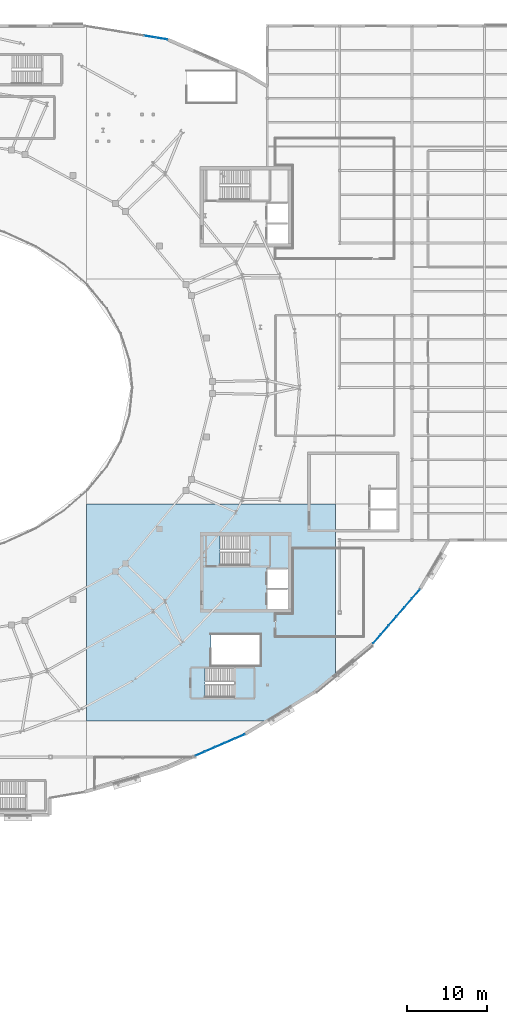
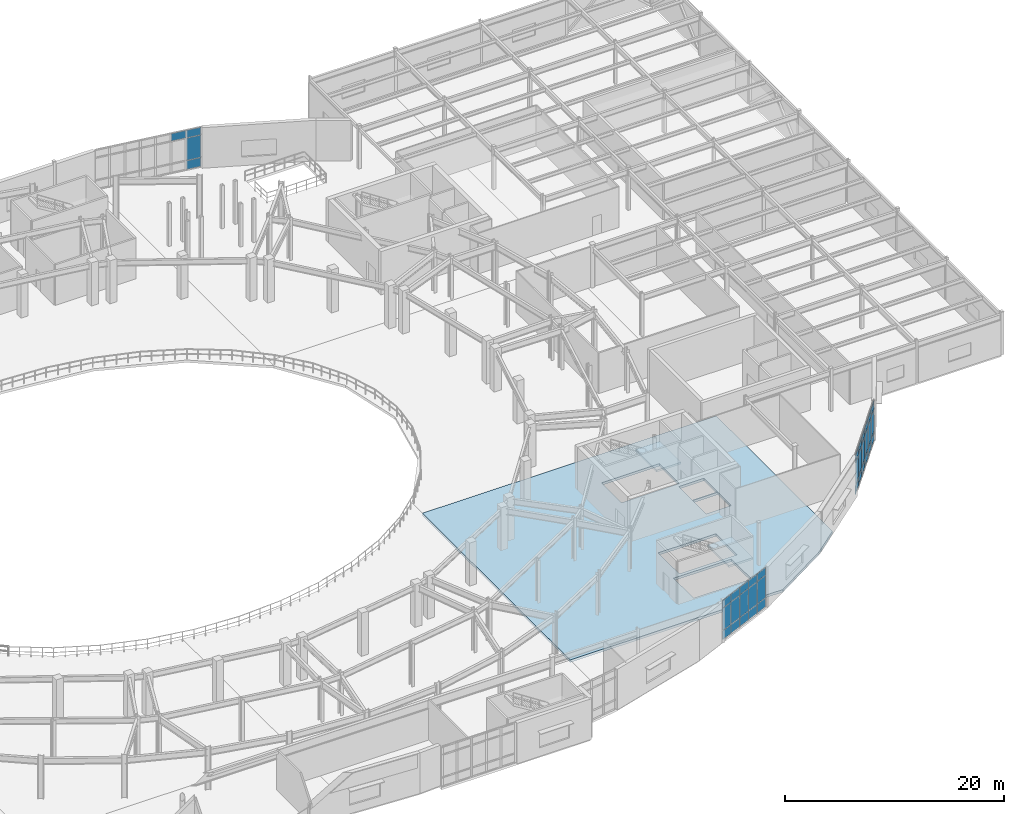
# One storey, part 57 of 86: 37 plates, 3 slabs, 5 elements without a shape of their own.
"""IFC4 building model written with IfcOpenShell, lengths in metres."""

from ifc_helpers import new_model, si_unit, direction, frame, origin, origin_2d, place, context, subcontext, project, spatial, polyline, rectangle, outline, extrude, material, layer, layer_set, type_object, element, aggregate, save


model = new_model("IFC4")

# Units and contexts
model_context = context("Model", 3, precision=1e-05, world=origin(), true_north=direction((0.0, 1.0)))
body_context = subcontext(model_context, "Body", "Model", "MODEL_VIEW")
ifc_project = project(units=[si_unit("LENGTHUNIT", "METRE"), si_unit("AREAUNIT", "SQUARE_METRE"), si_unit("VOLUMEUNIT", "CUBIC_METRE"), si_unit("PLANEANGLEUNIT", "RADIAN"), si_unit("MASSUNIT", "GRAM", prefix="KILO")], contexts=[model_context])

# Site, building, storey
site_placement = place(None, origin())
site = spatial("IfcSite", under=ifc_project, at=site_placement, CompositionType="ELEMENT")
building_placement = place(site_placement, origin())
building = spatial("IfcBuilding", under=site, at=building_placement, Name="Glasvene Arena", CompositionType="ELEMENT")
storey_placement = place(building_placement, frame((0.0, 0.0, 5.39990234375)))
storey = spatial("IfcBuildingStorey", under=building, at=storey_placement, Name="L01", CompositionType="ELEMENT", Elevation=5.39990234375)

# Curtain wall, plates
ifc_material_1 = material(Name="Low-emissivity laminated double glazing", Category="glass")
curtain_wall_type_1 = type_object("IfcCurtainWallType", Name="CW-FAC-L01-1047x446", PredefinedType="USERDEFINED", material=ifc_material_1)
curtain_wall_1_placement = place(storey_placement, frame((115.242431640625, 117.99365234375, 0.0)))
curtain_wall_1 = element("IfcCurtainWall", 1, at=curtain_wall_1_placement, inside=storey, type_object=curtain_wall_type_1, Name="Unitised curtain wall CW-F-L01-180-1204-1172-16", ObjectType="CURTAIN WALL", PredefinedType="USERDEFINED")
ifc_layer_1 = layer(ifc_material_1, 0.028076171875)
ifc_layer_set_1 = layer_set([ifc_layer_1], Name="Low-emissivity laminated double glazing")
plate_type = type_object("IfcPlateType", Name="CW-GLZ-28", PredefinedType="CURTAIN_PANEL", material=ifc_layer_set_1)
plate_1_placement = place(storey_placement, frame((123.364501953125, 116.674072265625, 3.64501953125), z_axis=(0.0, 0.0, 1.0), x_axis=(0.987057439407, -0.160367114184, 0.0)))
plate_1 = element("IfcPlate", 2, at=plate_1_placement, type_object=plate_type, Name="CW-008 panel 6.3", PredefinedType="CURTAIN_PANEL", context=body_context, shape_type="SweptSolid", body=[
    extrude(rectangle(XDim=1.446044921875, YDim=0.028076171875, at=origin_2d()), origin(), (0.0, 0.0, 1.0), 0.824951171875),
])
plate_2_placement = place(storey_placement, frame((124.8291015625, 116.43603515625, 0.10986328125), z_axis=(0.0, 0.0, 1.0), x_axis=(0.987057439407, -0.160367114184, 0.0)))
plate_2 = element("IfcPlate", 3, at=plate_2_placement, type_object=plate_type, Name="CW-008 panel 7.1", PredefinedType="CURTAIN_PANEL", context=body_context, shape_type="SweptSolid", body=[
    extrude(rectangle(XDim=1.421142578125, YDim=0.028076171875, at=origin_2d()), origin(), (0.0, 0.0, 1.0), 0.965087890625),
])
plate_3_placement = place(storey_placement, frame((124.8291015625, 116.43603515625, 1.125), z_axis=(0.0, 0.0, 1.0), x_axis=(0.987057439407, -0.160367114184, 0.0)))
plate_3 = element("IfcPlate", 4, at=plate_3_placement, type_object=plate_type, Name="CW-008 panel 7.2", PredefinedType="CURTAIN_PANEL", context=body_context, shape_type="SweptSolid", body=[
    extrude(rectangle(XDim=1.421142578125, YDim=0.028076171875, at=origin_2d()), origin(), (0.0, 0.0, 1.0), 2.469970703125),
])
plate_4_placement = place(storey_placement, frame((124.8291015625, 116.43603515625, 3.64501953125), z_axis=(0.0, 0.0, 1.0), x_axis=(0.987057439407, -0.160367114184, 0.0)))
plate_4 = element("IfcPlate", 5, at=plate_4_placement, type_object=plate_type, Name="CW-008 panel 7.3", PredefinedType="CURTAIN_PANEL", context=body_context, shape_type="SweptSolid", body=[
    extrude(rectangle(XDim=1.421142578125, YDim=0.028076171875, at=origin_2d()), origin(), (0.0, 0.0, 1.0), 0.824951171875),
])
aggregate(curtain_wall_1, [plate_1, plate_2, plate_3, plate_4])

curtain_wall_type_2 = type_object("IfcCurtainWallType", Name="CW-FAC-L01-892x446", PredefinedType="USERDEFINED", material=ifc_material_1)
curtain_wall_2_placement = place(storey_placement, frame((156.99267578125, 47.884521484375, 0.0)))
curtain_wall_2 = element("IfcCurtainWall", 6, at=curtain_wall_2_placement, inside=storey, type_object=curtain_wall_type_2, Name="Unitised curtain wall CW-F-L01-180-1541-445-34", ObjectType="CURTAIN WALL", PredefinedType="USERDEFINED")
plate_5_placement = place(storey_placement, frame((156.497802734375, 47.31298828125, 0.10986328125), z_axis=(0.0, 0.0, 1.0), x_axis=(-0.65457705189, -0.755995293066, 0.0)))
plate_5 = element("IfcPlate", 7, at=plate_5_placement, type_object=plate_type, Name="CW-010 panel 1.1", PredefinedType="CURTAIN_PANEL", context=body_context, shape_type="SweptSolid", body=[
    extrude(rectangle(XDim=1.41162109375, YDim=0.028076171875, at=origin_2d()), origin(), (0.0, 0.0, 1.0), 0.965087890625),
])
plate_6_placement = place(storey_placement, frame((156.497802734375, 47.31298828125, 1.125), z_axis=(0.0, 0.0, 1.0), x_axis=(-0.65457705189, -0.755995293066, 0.0)))
plate_6 = element("IfcPlate", 8, at=plate_6_placement, type_object=plate_type, Name="CW-010 panel 1.2", PredefinedType="CURTAIN_PANEL", context=body_context, shape_type="SweptSolid", body=[
    extrude(rectangle(XDim=1.41162109375, YDim=0.028076171875, at=origin_2d()), origin(), (0.0, 0.0, 1.0), 2.469970703125),
])
plate_7_placement = place(storey_placement, frame((156.497802734375, 47.31298828125, 3.64501953125), z_axis=(0.0, 0.0, 1.0), x_axis=(-0.65457705189, -0.755995293066, 0.0)))
plate_7 = element("IfcPlate", 9, at=plate_7_placement, type_object=plate_type, Name="CW-010 panel 1.3", PredefinedType="CURTAIN_PANEL", context=body_context, shape_type="SweptSolid", body=[
    extrude(rectangle(XDim=1.41162109375, YDim=0.028076171875, at=origin_2d()), origin(), (0.0, 0.0, 1.0), 0.824951171875),
])
plate_8_placement = place(storey_placement, frame((155.532958984375, 46.19873046875, 0.10986328125), z_axis=(0.0, 0.0, 1.0), x_axis=(-0.65457705189, -0.755995293066, 0.0)))
plate_8 = element("IfcPlate", 10, at=plate_8_placement, type_object=plate_type, Name="CW-010 panel 2.1", PredefinedType="CURTAIN_PANEL", context=body_context, shape_type="SweptSolid", body=[
    extrude(rectangle(XDim=1.4365234375, YDim=0.028076171875, at=origin_2d()), origin(), (0.0, 0.0, 1.0), 0.965087890625),
])
plate_9_placement = place(storey_placement, frame((155.532958984375, 46.19873046875, 1.125), z_axis=(0.0, 0.0, 1.0), x_axis=(-0.65457705189, -0.755995293066, 0.0)))
plate_9 = element("IfcPlate", 11, at=plate_9_placement, type_object=plate_type, Name="CW-010 panel 2.2", PredefinedType="CURTAIN_PANEL", context=body_context, shape_type="SweptSolid", body=[
    extrude(rectangle(XDim=1.4365234375, YDim=0.028076171875, at=origin_2d()), origin(), (0.0, 0.0, 1.0), 2.469970703125),
])
plate_10_placement = place(storey_placement, frame((155.532958984375, 46.19873046875, 3.64501953125), z_axis=(0.0, 0.0, 1.0), x_axis=(-0.65457705189, -0.755995293066, 0.0)))
plate_10 = element("IfcPlate", 12, at=plate_10_placement, type_object=plate_type, Name="CW-010 panel 2.3", PredefinedType="CURTAIN_PANEL", context=body_context, shape_type="SweptSolid", body=[
    extrude(rectangle(XDim=1.4365234375, YDim=0.028076171875, at=origin_2d()), origin(), (0.0, 0.0, 1.0), 0.824951171875),
])
plate_11_placement = place(storey_placement, frame((154.559814453125, 45.07470703125, 0.10986328125), z_axis=(0.0, 0.0, 1.0), x_axis=(-0.65457705189, -0.755995293066, 0.0)))
plate_11 = element("IfcPlate", 13, at=plate_11_placement, type_object=plate_type, Name="CW-010 panel 3.1", PredefinedType="CURTAIN_PANEL", context=body_context, shape_type="SweptSolid", body=[
    extrude(rectangle(XDim=1.4365234375, YDim=0.028076171875, at=origin_2d()), origin(), (0.0, 0.0, 1.0), 0.965087890625),
])
plate_12_placement = place(storey_placement, frame((154.559814453125, 45.07470703125, 1.125), z_axis=(0.0, 0.0, 1.0), x_axis=(-0.65457705189, -0.755995293066, 0.0)))
plate_12 = element("IfcPlate", 14, at=plate_12_placement, type_object=plate_type, Name="CW-010 panel 3.2", PredefinedType="CURTAIN_PANEL", context=body_context, shape_type="SweptSolid", body=[
    extrude(rectangle(XDim=1.4365234375, YDim=0.028076171875, at=origin_2d()), origin(), (0.0, 0.0, 1.0), 2.469970703125),
])
plate_13_placement = place(storey_placement, frame((154.559814453125, 45.07470703125, 3.64501953125), z_axis=(0.0, 0.0, 1.0), x_axis=(-0.65457705189, -0.755995293066, 0.0)))
plate_13 = element("IfcPlate", 15, at=plate_13_placement, type_object=plate_type, Name="CW-010 panel 3.3", PredefinedType="CURTAIN_PANEL", context=body_context, shape_type="SweptSolid", body=[
    extrude(rectangle(XDim=1.4365234375, YDim=0.028076171875, at=origin_2d()), origin(), (0.0, 0.0, 1.0), 0.824951171875),
])
plate_14_placement = place(storey_placement, frame((153.5869140625, 43.950927734375, 0.10986328125), z_axis=(0.0, 0.0, 1.0), x_axis=(-0.65457705189, -0.755995293066, 0.0)))
plate_14 = element("IfcPlate", 16, at=plate_14_placement, type_object=plate_type, Name="CW-010 panel 4.1", PredefinedType="CURTAIN_PANEL", context=body_context, shape_type="SweptSolid", body=[
    extrude(rectangle(XDim=1.4365234375, YDim=0.028076171875, at=origin_2d()), origin(), (0.0, 0.0, 1.0), 0.965087890625),
])
plate_15_placement = place(storey_placement, frame((153.5869140625, 43.950927734375, 1.125), z_axis=(0.0, 0.0, 1.0), x_axis=(-0.65457705189, -0.755995293066, 0.0)))
plate_15 = element("IfcPlate", 17, at=plate_15_placement, type_object=plate_type, Name="CW-010 panel 4.2", PredefinedType="CURTAIN_PANEL", context=body_context, shape_type="SweptSolid", body=[
    extrude(rectangle(XDim=1.4365234375, YDim=0.028076171875, at=origin_2d()), origin(), (0.0, 0.0, 1.0), 2.469970703125),
])
plate_16_placement = place(storey_placement, frame((153.5869140625, 43.950927734375, 3.64501953125), z_axis=(0.0, 0.0, 1.0), x_axis=(-0.65457705189, -0.755995293066, 0.0)))
plate_16 = element("IfcPlate", 18, at=plate_16_placement, type_object=plate_type, Name="CW-010 panel 4.3", PredefinedType="CURTAIN_PANEL", context=body_context, shape_type="SweptSolid", body=[
    extrude(rectangle(XDim=1.4365234375, YDim=0.028076171875, at=origin_2d()), origin(), (0.0, 0.0, 1.0), 0.824951171875),
])
plate_17_placement = place(storey_placement, frame((152.61376953125, 42.8271484375, 0.10986328125), z_axis=(0.0, 0.0, 1.0), x_axis=(-0.65457705189, -0.755995293066, 0.0)))
plate_17 = element("IfcPlate", 19, at=plate_17_placement, type_object=plate_type, Name="CW-010 panel 5.1", PredefinedType="CURTAIN_PANEL", context=body_context, shape_type="SweptSolid", body=[
    extrude(rectangle(XDim=1.4365234375, YDim=0.028076171875, at=origin_2d()), origin(), (0.0, 0.0, 1.0), 0.965087890625),
])
plate_18_placement = place(storey_placement, frame((152.61376953125, 42.8271484375, 1.125), z_axis=(0.0, 0.0, 1.0), x_axis=(-0.65457705189, -0.755995293066, 0.0)))
plate_18 = element("IfcPlate", 20, at=plate_18_placement, type_object=plate_type, Name="CW-010 panel 5.2", PredefinedType="CURTAIN_PANEL", context=body_context, shape_type="SweptSolid", body=[
    extrude(rectangle(XDim=1.4365234375, YDim=0.028076171875, at=origin_2d()), origin(), (0.0, 0.0, 1.0), 2.469970703125),
])
plate_19_placement = place(storey_placement, frame((152.61376953125, 42.8271484375, 3.64501953125), z_axis=(0.0, 0.0, 1.0), x_axis=(-0.65457705189, -0.755995293066, 0.0)))
plate_19 = element("IfcPlate", 21, at=plate_19_placement, type_object=plate_type, Name="CW-010 panel 5.3", PredefinedType="CURTAIN_PANEL", context=body_context, shape_type="SweptSolid", body=[
    extrude(rectangle(XDim=1.4365234375, YDim=0.028076171875, at=origin_2d()), origin(), (0.0, 0.0, 1.0), 0.824951171875),
])
plate_20_placement = place(storey_placement, frame((151.64892578125, 41.712646484375, 0.10986328125), z_axis=(0.0, 0.0, 1.0), x_axis=(-0.65457705189, -0.755995293066, 0.0)))
plate_20 = element("IfcPlate", 22, at=plate_20_placement, type_object=plate_type, Name="CW-010 panel 6.1", PredefinedType="CURTAIN_PANEL", context=body_context, shape_type="SweptSolid", body=[
    extrude(rectangle(XDim=1.41162109375, YDim=0.028076171875, at=origin_2d()), origin(), (0.0, 0.0, 1.0), 0.965087890625),
])
plate_21_placement = place(storey_placement, frame((151.64892578125, 41.712646484375, 1.125), z_axis=(0.0, 0.0, 1.0), x_axis=(-0.65457705189, -0.755995293066, 0.0)))
plate_21 = element("IfcPlate", 23, at=plate_21_placement, type_object=plate_type, Name="CW-010 panel 6.2", PredefinedType="CURTAIN_PANEL", context=body_context, shape_type="SweptSolid", body=[
    extrude(rectangle(XDim=1.41162109375, YDim=0.028076171875, at=origin_2d()), origin(), (0.0, 0.0, 1.0), 2.469970703125),
])
plate_22_placement = place(storey_placement, frame((151.64892578125, 41.712646484375, 3.64501953125), z_axis=(0.0, 0.0, 1.0), x_axis=(-0.65457705189, -0.755995293066, 0.0)))
plate_22 = element("IfcPlate", 24, at=plate_22_placement, type_object=plate_type, Name="CW-010 panel 6.3", PredefinedType="CURTAIN_PANEL", context=body_context, shape_type="SweptSolid", body=[
    extrude(rectangle(XDim=1.41162109375, YDim=0.028076171875, at=origin_2d()), origin(), (0.0, 0.0, 1.0), 0.824951171875),
])
aggregate(curtain_wall_2, [plate_5, plate_6, plate_7, plate_8, plate_9, plate_10, plate_11, plate_12, plate_13, plate_14, plate_15, plate_16, plate_17, plate_18, plate_19, plate_20, plate_21, plate_22])

curtain_wall_type_3 = type_object("IfcCurtainWallType", Name="CW-FAC-L01-673x446", PredefinedType="USERDEFINED", material=ifc_material_1)
curtain_wall_3_placement = place(storey_placement, frame((135.19580078125, 29.845703125, 0.0)))
curtain_wall_3 = element("IfcCurtainWall", 25, at=curtain_wall_3_placement, inside=storey, type_object=curtain_wall_type_3, Name="Unitised curtain wall CW-F-L01-180-1321-285-37", ObjectType="CURTAIN WALL", PredefinedType="USERDEFINED")
plate_23_placement = place(storey_placement, frame((134.56689453125, 29.57275390625, 0.10986328125), z_axis=(0.0, 0.0, 1.0), x_axis=(-0.917433245637, -0.397889733218, 0.0)))
plate_23 = element("IfcPlate", 26, at=plate_23_placement, type_object=plate_type, Name="CW-011 panel 1.1", PredefinedType="CURTAIN_PANEL", context=body_context, shape_type="SweptSolid", body=[
    extrude(rectangle(XDim=1.27099609375, YDim=0.028076171875, at=origin_2d()), origin(), (0.0, 0.0, 1.0), 0.965087890625),
])
plate_24_placement = place(storey_placement, frame((134.56689453125, 29.57275390625, 1.125), z_axis=(0.0, 0.0, 1.0), x_axis=(-0.917433245637, -0.397889733218, 0.0)))
plate_24 = element("IfcPlate", 27, at=plate_24_placement, type_object=plate_type, Name="CW-011 panel 1.2", PredefinedType="CURTAIN_PANEL", context=body_context, shape_type="SweptSolid", body=[
    extrude(rectangle(XDim=1.27099609375, YDim=0.028076171875, at=origin_2d()), origin(), (0.0, 0.0, 1.0), 2.469970703125),
])
plate_25_placement = place(storey_placement, frame((134.56689453125, 29.57275390625, 3.64501953125), z_axis=(0.0, 0.0, 1.0), x_axis=(-0.917433245637, -0.397889733218, 0.0)))
plate_25 = element("IfcPlate", 28, at=plate_25_placement, type_object=plate_type, Name="CW-011 panel 1.3", PredefinedType="CURTAIN_PANEL", context=body_context, shape_type="SweptSolid", body=[
    extrude(rectangle(XDim=1.27099609375, YDim=0.028076171875, at=origin_2d()), origin(), (0.0, 0.0, 1.0), 0.824951171875),
])
plate_26_placement = place(storey_placement, frame((133.343505859375, 29.042236328125, 0.10986328125), z_axis=(0.0, 0.0, 1.0), x_axis=(-0.917433245637, -0.397889733218, 0.0)))
plate_26 = element("IfcPlate", 29, at=plate_26_placement, type_object=plate_type, Name="CW-011 panel 2.1", PredefinedType="CURTAIN_PANEL", context=body_context, shape_type="SweptSolid", body=[
    extrude(rectangle(XDim=1.2958984375, YDim=0.028076171875, at=origin_2d()), origin(), (0.0, 0.0, 1.0), 0.965087890625),
])
plate_27_placement = place(storey_placement, frame((133.343505859375, 29.042236328125, 1.125), z_axis=(0.0, 0.0, 1.0), x_axis=(-0.917433245637, -0.397889733218, 0.0)))
plate_27 = element("IfcPlate", 30, at=plate_27_placement, type_object=plate_type, Name="CW-011 panel 2.2", PredefinedType="CURTAIN_PANEL", context=body_context, shape_type="SweptSolid", body=[
    extrude(rectangle(XDim=1.2958984375, YDim=0.028076171875, at=origin_2d()), origin(), (0.0, 0.0, 1.0), 2.469970703125),
])
plate_28_placement = place(storey_placement, frame((133.343505859375, 29.042236328125, 3.64501953125), z_axis=(0.0, 0.0, 1.0), x_axis=(-0.917433245637, -0.397889733218, 0.0)))
plate_28 = element("IfcPlate", 31, at=plate_28_placement, type_object=plate_type, Name="CW-011 panel 2.3", PredefinedType="CURTAIN_PANEL", context=body_context, shape_type="SweptSolid", body=[
    extrude(rectangle(XDim=1.2958984375, YDim=0.028076171875, at=origin_2d()), origin(), (0.0, 0.0, 1.0), 0.824951171875),
])
plate_29_placement = place(storey_placement, frame((132.108642578125, 28.5068359375, 0.10986328125), z_axis=(0.0, 0.0, 1.0), x_axis=(-0.917433245637, -0.397889733218, 0.0)))
plate_29 = element("IfcPlate", 32, at=plate_29_placement, type_object=plate_type, Name="CW-011 panel 3.1", PredefinedType="CURTAIN_PANEL", context=body_context, shape_type="SweptSolid", body=[
    extrude(rectangle(XDim=1.2958984375, YDim=0.028076171875, at=origin_2d()), origin(), (0.0, 0.0, 1.0), 0.965087890625),
])
plate_30_placement = place(storey_placement, frame((132.108642578125, 28.5068359375, 1.125), z_axis=(0.0, 0.0, 1.0), x_axis=(-0.917433245637, -0.397889733218, 0.0)))
plate_30 = element("IfcPlate", 33, at=plate_30_placement, type_object=plate_type, Name="CW-011 panel 3.2", PredefinedType="CURTAIN_PANEL", context=body_context, shape_type="SweptSolid", body=[
    extrude(rectangle(XDim=1.2958984375, YDim=0.028076171875, at=origin_2d()), origin(), (0.0, 0.0, 1.0), 2.469970703125),
])
plate_31_placement = place(storey_placement, frame((132.108642578125, 28.5068359375, 3.64501953125), z_axis=(0.0, 0.0, 1.0), x_axis=(-0.917433245637, -0.397889733218, 0.0)))
plate_31 = element("IfcPlate", 34, at=plate_31_placement, type_object=plate_type, Name="CW-011 panel 3.3", PredefinedType="CURTAIN_PANEL", context=body_context, shape_type="SweptSolid", body=[
    extrude(rectangle(XDim=1.2958984375, YDim=0.028076171875, at=origin_2d()), origin(), (0.0, 0.0, 1.0), 0.824951171875),
])
plate_32_placement = place(storey_placement, frame((130.873779296875, 27.97119140625, 0.10986328125), z_axis=(0.0, 0.0, 1.0), x_axis=(-0.917433245637, -0.397889733218, 0.0)))
plate_32 = element("IfcPlate", 35, at=plate_32_placement, type_object=plate_type, Name="CW-011 panel 4.1", PredefinedType="CURTAIN_PANEL", context=body_context, shape_type="SweptSolid", body=[
    extrude(rectangle(XDim=1.2958984375, YDim=0.028076171875, at=origin_2d()), origin(), (0.0, 0.0, 1.0), 0.965087890625),
])
plate_33_placement = place(storey_placement, frame((130.873779296875, 27.97119140625, 1.125), z_axis=(0.0, 0.0, 1.0), x_axis=(-0.917433245637, -0.397889733218, 0.0)))
plate_33 = element("IfcPlate", 36, at=plate_33_placement, type_object=plate_type, Name="CW-011 panel 4.2", PredefinedType="CURTAIN_PANEL", context=body_context, shape_type="SweptSolid", body=[
    extrude(rectangle(XDim=1.2958984375, YDim=0.028076171875, at=origin_2d()), origin(), (0.0, 0.0, 1.0), 2.469970703125),
])
plate_34_placement = place(storey_placement, frame((130.873779296875, 27.97119140625, 3.64501953125), z_axis=(0.0, 0.0, 1.0), x_axis=(-0.917433245637, -0.397889733218, 0.0)))
plate_34 = element("IfcPlate", 37, at=plate_34_placement, type_object=plate_type, Name="CW-011 panel 4.3", PredefinedType="CURTAIN_PANEL", context=body_context, shape_type="SweptSolid", body=[
    extrude(rectangle(XDim=1.2958984375, YDim=0.028076171875, at=origin_2d()), origin(), (0.0, 0.0, 1.0), 0.824951171875),
])
plate_35_placement = place(storey_placement, frame((129.650390625, 27.440673828125, 0.10986328125), z_axis=(0.0, 0.0, 1.0), x_axis=(-0.917433245637, -0.397889733218, 0.0)))
plate_35 = element("IfcPlate", 38, at=plate_35_placement, type_object=plate_type, Name="CW-011 panel 5.1", PredefinedType="CURTAIN_PANEL", context=body_context, shape_type="SweptSolid", body=[
    extrude(rectangle(XDim=1.27099609375, YDim=0.028076171875, at=origin_2d()), origin(), (0.0, 0.0, 1.0), 0.965087890625),
])
plate_36_placement = place(storey_placement, frame((129.650390625, 27.440673828125, 1.125), z_axis=(0.0, 0.0, 1.0), x_axis=(-0.917433245637, -0.397889733218, 0.0)))
plate_36 = element("IfcPlate", 39, at=plate_36_placement, type_object=plate_type, Name="CW-011 panel 5.2", PredefinedType="CURTAIN_PANEL", context=body_context, shape_type="SweptSolid", body=[
    extrude(rectangle(XDim=1.27099609375, YDim=0.028076171875, at=origin_2d()), origin(), (0.0, 0.0, 1.0), 2.469970703125),
])
plate_37_placement = place(storey_placement, frame((129.650390625, 27.440673828125, 3.64501953125), z_axis=(0.0, 0.0, 1.0), x_axis=(-0.917433245637, -0.397889733218, 0.0)))
plate_37 = element("IfcPlate", 40, at=plate_37_placement, type_object=plate_type, Name="CW-011 panel 5.3", PredefinedType="CURTAIN_PANEL", context=body_context, shape_type="SweptSolid", body=[
    extrude(rectangle(XDim=1.27099609375, YDim=0.028076171875, at=origin_2d()), origin(), (0.0, 0.0, 1.0), 0.824951171875),
])
aggregate(curtain_wall_3, [plate_23, plate_24, plate_25, plate_26, plate_27, plate_28, plate_29, plate_30, plate_31, plate_32, plate_33, plate_34, plate_35, plate_36, plate_37])

# Slab
ifc_material_2 = material(Name="Concrete C40/50", Category="concrete")
ifc_layer_2 = layer(ifc_material_2, 0.280029296875)
ifc_layer_set_2 = layer_set([ifc_layer_2], Name="Concrete C40/50")
slab_type_1 = type_object("IfcSlabType", Name="SL-CONC-280", PredefinedType="FLOOR", material=ifc_layer_set_2)
slab_1_placement = place(storey_placement, frame((134.29150390625, 42.05322265625, -0.27978515625)))
element("IfcSlab", 41, at=slab_1_placement, inside=storey, type_object=slab_type_1, Name="Structural floor slab L01 sector 2-5 (48)", PredefinedType="FLOOR", context=body_context, shape_type="SweptSolid", body=[
    extrude(outline(polyline([(3.651611328125, -10.55322265625), (-18.79150390625, -10.55322265625), (-18.79150390625, 16.44677734375), (12.20849609375, 16.44677734375), (12.20849609375, -4.77685546875), (9.51416015625, -7.009521484375), (3.651611328125, -10.55322265625)]), holes=[polyline([(2.008544921875, -7.6533203125), (2.008544921875, -4.003173828125), (-4.089599609375, -4.003173828125), (-4.089599609375, -7.6533203125), (2.008544921875, -7.6533203125)]), polyline([(2.80859375, -3.6533203125), (2.80859375, 0.19677734375), (-3.28955078125, 0.19677734375), (-3.28955078125, -3.6533203125), (2.80859375, -3.6533203125)]), polyline([(6.258544921875, 3.396728515625), (6.258544921875, 5.8466796875), (3.6083984375, 5.8466796875), (3.6083984375, 3.396728515625), (6.258544921875, 3.396728515625)]), polyline([(6.258544921875, 5.94677734375), (6.258544921875, 8.396728515625), (3.6083984375, 8.396728515625), (3.6083984375, 5.94677734375), (6.258544921875, 5.94677734375)]), polyline([(3.908447265625, 8.796875), (3.908447265625, 12.44677734375), (-2.189453125, 12.44677734375), (-2.189453125, 8.796875), (3.908447265625, 8.796875)])]), origin(), (0.0, 0.0, 1.0), 0.27978515625),
])

# Stair, slab
stair_type = type_object("IfcStairType", Name="ST-HT-480-170", PredefinedType="HALF_TURN_STAIR", material=ifc_material_2)
stair_1_placement = place(storey_placement, origin())
stair_1 = element("IfcStair", 42, at=stair_1_placement, inside=storey, type_object=stair_type, Name="Protected escape stair ST-04 (L01 to L02)", PredefinedType="HALF_TURN_STAIR")
ifc_layer_3 = layer(ifc_material_2, 0.219970703125)
ifc_layer_set_3 = layer_set([ifc_layer_3], Name="Concrete C40/50")
slab_type_2 = type_object("IfcSlabType", Name="SL-LAND-220", PredefinedType="LANDING", material=ifc_layer_set_3)
slab_2_placement = place(storey_placement, frame((137.02001953125, 52.675048828125, 2.18017578125)))
slab_2 = element("IfcSlab", 43, at=slab_2_placement, type_object=slab_type_2, Name="Protected escape stair ST-04 (L01 to L02) landing 1", PredefinedType="LANDING", context=body_context, shape_type="SweptSolid", body=[
    extrude(outline(polyline([(-1.280029296875, -1.925048828125), (1.280029296875, -1.925048828125), (1.280029296875, 1.925048828125), (-1.280029296875, 1.925048828125), (-1.280029296875, -1.925048828125)])), origin(), (0.0, 0.0, 1.0), 0.219970703125),
])
aggregate(stair_1, [slab_2])

stair_2_placement = place(storey_placement, origin())
stair_2 = element("IfcStair", 44, at=stair_2_placement, inside=storey, type_object=stair_type, Name="Protected escape stair ST-06 (L01 to L02)", PredefinedType="HALF_TURN_STAIR")
slab_3_placement = place(storey_placement, frame((135.1201171875, 36.22509765625, 2.18017578125)))
slab_3 = element("IfcSlab", 45, at=slab_3_placement, type_object=slab_type_2, Name="Protected escape stair ST-06 (L01 to L02) landing 1", PredefinedType="LANDING", context=body_context, shape_type="SweptSolid", body=[
    extrude(outline(polyline([(-1.280029296875, -1.925048828125), (1.27978515625, -1.925048828125), (1.27978515625, 1.9248046875), (-1.280029296875, 1.9248046875), (-1.280029296875, -1.925048828125)])), origin(), (0.0, 0.0, 1.0), 0.219970703125),
])
aggregate(stair_2, [slab_3])

save(model, "model.ifc")
